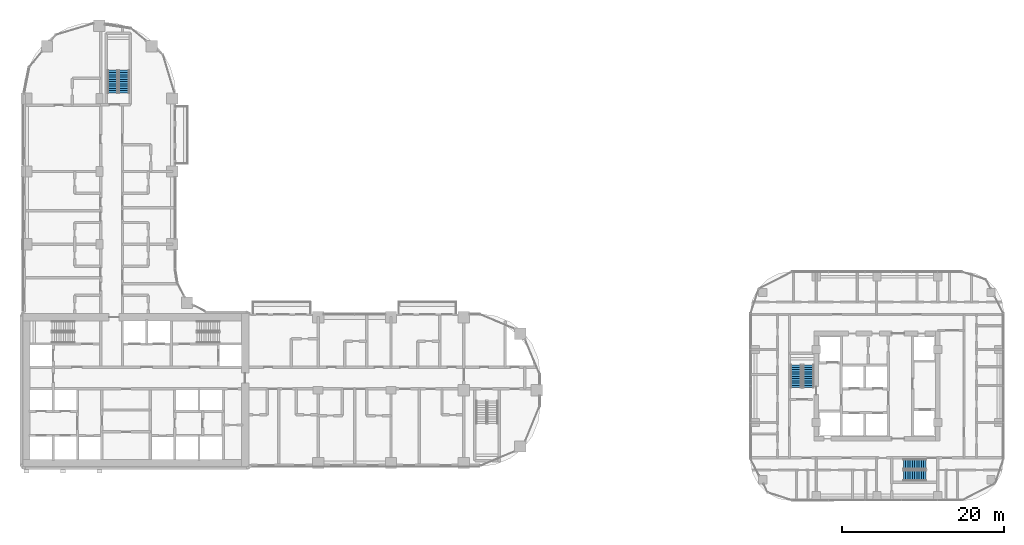
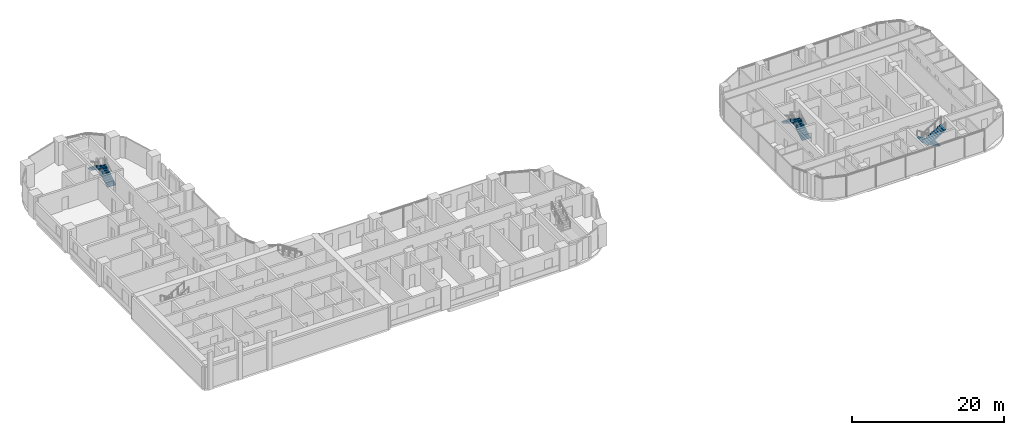
# One storey, part 24 of 30: 6 stair flights, 3 elements without a shape of their own.
"""IFC4 building model written with IfcOpenShell, lengths in metres."""

from ifc_helpers import new_model, si_unit, direction, frame, origin, place, context, subcontext, project, spatial, triangles, source, transform, mapped, material, type_object, element, aggregate, save


model = new_model("IFC4")

# Units and contexts
model_context = context("Model", 3, precision=1e-05, world=origin(), true_north=direction((0.0, 1.0)))
body_context = subcontext(model_context, "Body", "Model", "MODEL_VIEW")
ifc_project = project(units=[si_unit("LENGTHUNIT", "METRE"), si_unit("AREAUNIT", "SQUARE_METRE"), si_unit("VOLUMEUNIT", "CUBIC_METRE"), si_unit("PLANEANGLEUNIT", "RADIAN"), si_unit("MASSUNIT", "GRAM", prefix="KILO")], contexts=[model_context])

# Site, building, storey
site_placement = place(None, origin())
site = spatial("IfcSite", under=ifc_project, at=site_placement, CompositionType="ELEMENT")
building_placement = place(site_placement, origin())
building = spatial("IfcBuilding", under=site, at=building_placement, Name="Ogive Portal Towers", CompositionType="ELEMENT")
storey_placement = place(building_placement, frame((0.0, 0.0, 37.199951171875)))
storey = spatial("IfcBuildingStorey", under=building, at=storey_placement, Name="L07", CompositionType="ELEMENT", Elevation=37.199951171875)

# Stair, stair flights
ifc_material = material(Name="Concrete C40/50", Category="concrete")
stair_type = type_object("IfcStairType", Name="INT-STAIR", PredefinedType="HALF_TURN_STAIR", material=ifc_material)
stair_1_placement = place(storey_placement, origin())
stair_1 = element("IfcStair", 1, at=stair_1_placement, inside=storey, type_object=stair_type, Name="L07 Exit Stair ST-A3", PredefinedType="HALF_TURN_STAIR")
stair_flight_type = type_object("IfcStairFlightType", Name="INT-FLIGHT", PredefinedType="STRAIGHT", material=ifc_material)
shared_shape = source(origin(), body_context, "Body", "Tessellation", [
    triangles([(0.0, -0.650146484375, 0.0), (0.0, -0.376220703125, 0.0), (0.0, -0.192626953125, 0.0), (0.0, -0.081298828125, 0.0), (0.0, -0.024169921875, 0.0), (0.0, -0.003173828125, 0.0), (0.0, 0.0, 0.0), (0.0, 0.0029296875, 0.0), (0.0, 0.02392578125, 0.0), (0.0, 0.0810546875, 0.0), (0.0, 0.1923828125, 0.0), (0.0, 0.3759765625, 0.0), (0.0, 0.64990234375, 0.0), (0.0, -0.650146484375, 0.168212890625), (0.0, -0.376220703125, 0.168212890625), (0.0, -0.192626953125, 0.168212890625), (0.0, -0.081298828125, 0.168212890625), (0.0, -0.024169921875, 0.168212890625), (0.0, -0.003173828125, 0.168212890625), (0.0, 0.0, 0.168212890625), (0.0, 0.0029296875, 0.168212890625), (0.0, 0.02392578125, 0.168212890625), (0.0, 0.0810546875, 0.168212890625), (0.0, 0.1923828125, 0.168212890625), (0.0, 0.3759765625, 0.168212890625), (0.0, 0.64990234375, 0.168212890625), (0.280029296875, -0.650146484375, 0.168212890625), (0.280029296875, -0.376220703125, 0.168212890625), (0.280029296875, -0.192626953125, 0.168212890625), (0.280029296875, -0.081298828125, 0.168212890625), (0.280029296875, -0.024169921875, 0.168212890625), (0.280029296875, -0.003173828125, 0.168212890625), (0.280029296875, 0.0, 0.168212890625), (0.280029296875, 0.0029296875, 0.168212890625), (0.280029296875, 0.02392578125, 0.168212890625), (0.280029296875, 0.0810546875, 0.168212890625), (0.280029296875, 0.1923828125, 0.168212890625), (0.280029296875, 0.3759765625, 0.168212890625), (0.280029296875, 0.64990234375, 0.168212890625), (0.280029296875, -0.650146484375, 0.33642578125), (0.280029296875, -0.376220703125, 0.33642578125), (0.280029296875, -0.192626953125, 0.33642578125), (0.280029296875, -0.081298828125, 0.33642578125), (0.280029296875, -0.024169921875, 0.33642578125), (0.280029296875, -0.003173828125, 0.33642578125), (0.280029296875, 0.0, 0.33642578125), (0.280029296875, 0.0029296875, 0.33642578125), (0.280029296875, 0.02392578125, 0.33642578125), (0.280029296875, 0.0810546875, 0.33642578125), (0.280029296875, 0.1923828125, 0.33642578125), (0.280029296875, 0.3759765625, 0.33642578125), (0.280029296875, 0.64990234375, 0.33642578125), (0.56005859375, -0.650146484375, 0.33642578125), (0.56005859375, -0.376220703125, 0.33642578125), (0.56005859375, -0.192626953125, 0.33642578125), (0.56005859375, -0.081298828125, 0.33642578125), (0.56005859375, -0.024169921875, 0.33642578125), (0.56005859375, -0.003173828125, 0.33642578125), (0.56005859375, 0.0, 0.33642578125), (0.56005859375, 0.0029296875, 0.33642578125), (0.56005859375, 0.02392578125, 0.33642578125), (0.56005859375, 0.0810546875, 0.33642578125), (0.56005859375, 0.1923828125, 0.33642578125), (0.56005859375, 0.3759765625, 0.33642578125), (0.56005859375, 0.64990234375, 0.33642578125), (0.56005859375, -0.650146484375, 0.504638671875), (0.56005859375, -0.376220703125, 0.504638671875), (0.56005859375, -0.192626953125, 0.504638671875), (0.56005859375, -0.081298828125, 0.504638671875), (0.56005859375, -0.024169921875, 0.504638671875), (0.56005859375, -0.003173828125, 0.504638671875), (0.56005859375, 0.0, 0.504638671875), (0.56005859375, 0.0029296875, 0.504638671875), (0.56005859375, 0.02392578125, 0.504638671875), (0.56005859375, 0.0810546875, 0.504638671875), (0.56005859375, 0.1923828125, 0.504638671875), (0.56005859375, 0.3759765625, 0.504638671875), (0.56005859375, 0.64990234375, 0.504638671875), (0.840087890625, -0.650146484375, 0.504638671875), (0.840087890625, -0.376220703125, 0.504638671875), (0.840087890625, -0.192626953125, 0.504638671875), (0.840087890625, -0.081298828125, 0.504638671875), (0.840087890625, -0.024169921875, 0.504638671875), (0.840087890625, -0.003173828125, 0.504638671875), (0.840087890625, 0.0, 0.504638671875), (0.840087890625, 0.0029296875, 0.504638671875), (0.840087890625, 0.02392578125, 0.504638671875), (0.840087890625, 0.0810546875, 0.504638671875), (0.840087890625, 0.1923828125, 0.504638671875), (0.840087890625, 0.3759765625, 0.504638671875), (0.840087890625, 0.64990234375, 0.504638671875), (0.840087890625, -0.650146484375, 0.672607421875), (0.840087890625, -0.376220703125, 0.672607421875), (0.840087890625, -0.192626953125, 0.672607421875), (0.840087890625, -0.081298828125, 0.672607421875), (0.840087890625, -0.024169921875, 0.672607421875), (0.840087890625, -0.003173828125, 0.672607421875), (0.840087890625, 0.0, 0.672607421875), (0.840087890625, 0.0029296875, 0.672607421875), (0.840087890625, 0.02392578125, 0.672607421875), (0.840087890625, 0.0810546875, 0.672607421875), (0.840087890625, 0.1923828125, 0.672607421875), (0.840087890625, 0.3759765625, 0.672607421875), (0.840087890625, 0.64990234375, 0.672607421875), (1.1201171875, -0.650146484375, 0.672607421875), (1.1201171875, -0.376220703125, 0.672607421875), (1.1201171875, -0.192626953125, 0.672607421875), (1.1201171875, -0.081298828125, 0.672607421875), (1.1201171875, -0.024169921875, 0.672607421875), (1.1201171875, -0.003173828125, 0.672607421875), (1.1201171875, 0.0, 0.672607421875), (1.1201171875, 0.0029296875, 0.672607421875), (1.1201171875, 0.02392578125, 0.672607421875), (1.1201171875, 0.0810546875, 0.672607421875), (1.1201171875, 0.1923828125, 0.672607421875), (1.1201171875, 0.3759765625, 0.672607421875), (1.1201171875, 0.64990234375, 0.672607421875), (1.1201171875, -0.650146484375, 0.8408203125), (1.1201171875, -0.376220703125, 0.8408203125), (1.1201171875, -0.192626953125, 0.8408203125), (1.1201171875, -0.081298828125, 0.8408203125), (1.1201171875, -0.024169921875, 0.8408203125), (1.1201171875, -0.003173828125, 0.8408203125), (1.1201171875, 0.0, 0.8408203125), (1.1201171875, 0.0029296875, 0.8408203125), (1.1201171875, 0.02392578125, 0.8408203125), (1.1201171875, 0.0810546875, 0.8408203125), (1.1201171875, 0.1923828125, 0.8408203125), (1.1201171875, 0.3759765625, 0.8408203125), (1.1201171875, 0.64990234375, 0.8408203125), (1.39990234375, -0.650146484375, 0.8408203125), (1.39990234375, -0.376220703125, 0.8408203125), (1.39990234375, -0.192626953125, 0.8408203125), (1.39990234375, -0.081298828125, 0.8408203125), (1.39990234375, -0.024169921875, 0.8408203125), (1.39990234375, -0.003173828125, 0.8408203125), (1.39990234375, 0.0, 0.8408203125), (1.39990234375, 0.0029296875, 0.8408203125), (1.39990234375, 0.02392578125, 0.8408203125), (1.39990234375, 0.0810546875, 0.8408203125), (1.39990234375, 0.1923828125, 0.8408203125), (1.39990234375, 0.3759765625, 0.8408203125), (1.39990234375, 0.64990234375, 0.8408203125), (1.39990234375, -0.650146484375, 1.009033203125), (1.39990234375, -0.376220703125, 1.009033203125), (1.39990234375, -0.192626953125, 1.009033203125), (1.39990234375, -0.081298828125, 1.009033203125), (1.39990234375, -0.024169921875, 1.009033203125), (1.39990234375, -0.003173828125, 1.009033203125), (1.39990234375, 0.0, 1.009033203125), (1.39990234375, 0.0029296875, 1.009033203125), (1.39990234375, 0.02392578125, 1.009033203125), (1.39990234375, 0.0810546875, 1.009033203125), (1.39990234375, 0.1923828125, 1.009033203125), (1.39990234375, 0.3759765625, 1.009033203125), (1.39990234375, 0.64990234375, 1.009033203125), (1.679931640625, -0.650146484375, 1.009033203125), (1.679931640625, -0.376220703125, 1.009033203125), (1.679931640625, -0.192626953125, 1.009033203125), (1.679931640625, -0.081298828125, 1.009033203125), (1.679931640625, -0.024169921875, 1.009033203125), (1.679931640625, -0.003173828125, 1.009033203125), (1.679931640625, 0.0, 1.009033203125), (1.679931640625, 0.0029296875, 1.009033203125), (1.679931640625, 0.02392578125, 1.009033203125), (1.679931640625, 0.0810546875, 1.009033203125), (1.679931640625, 0.1923828125, 1.009033203125), (1.679931640625, 0.3759765625, 1.009033203125), (1.679931640625, 0.64990234375, 1.009033203125), (1.679931640625, -0.650146484375, 1.17724609375), (1.679931640625, -0.376220703125, 1.17724609375), (1.679931640625, -0.192626953125, 1.17724609375), (1.679931640625, -0.081298828125, 1.17724609375), (1.679931640625, -0.024169921875, 1.17724609375), (1.679931640625, -0.003173828125, 1.17724609375), (1.679931640625, 0.0, 1.17724609375), (1.679931640625, 0.0029296875, 1.17724609375), (1.679931640625, 0.02392578125, 1.17724609375), (1.679931640625, 0.0810546875, 1.17724609375), (1.679931640625, 0.1923828125, 1.17724609375), (1.679931640625, 0.3759765625, 1.17724609375), (1.679931640625, 0.64990234375, 1.17724609375), (1.9599609375, -0.650146484375, 1.17724609375), (1.9599609375, -0.376220703125, 1.17724609375), (1.9599609375, -0.192626953125, 1.17724609375), (1.9599609375, -0.081298828125, 1.17724609375), (1.9599609375, -0.024169921875, 1.17724609375), (1.9599609375, -0.003173828125, 1.17724609375), (1.9599609375, 0.0, 1.17724609375), (1.9599609375, 0.0029296875, 1.17724609375), (1.9599609375, 0.02392578125, 1.17724609375), (1.9599609375, 0.0810546875, 1.17724609375), (1.9599609375, 0.1923828125, 1.17724609375), (1.9599609375, 0.3759765625, 1.17724609375), (1.9599609375, 0.64990234375, 1.17724609375), (1.9599609375, -0.650146484375, 1.345458984375), (1.9599609375, -0.376220703125, 1.345458984375), (1.9599609375, -0.192626953125, 1.345458984375), (1.9599609375, -0.081298828125, 1.345458984375), (1.9599609375, -0.024169921875, 1.345458984375), (1.9599609375, -0.003173828125, 1.345458984375), (1.9599609375, 0.0, 1.345458984375), (1.9599609375, 0.0029296875, 1.345458984375), (1.9599609375, 0.02392578125, 1.345458984375), (1.9599609375, 0.0810546875, 1.345458984375), (1.9599609375, 0.1923828125, 1.345458984375), (1.9599609375, 0.3759765625, 1.345458984375), (1.9599609375, 0.64990234375, 1.345458984375), (2.239990234375, -0.650146484375, 1.345458984375), (2.239990234375, -0.376220703125, 1.345458984375), (2.239990234375, -0.192626953125, 1.345458984375), (2.239990234375, -0.081298828125, 1.345458984375), (2.239990234375, -0.024169921875, 1.345458984375), (2.239990234375, -0.003173828125, 1.345458984375), (2.239990234375, 0.0, 1.345458984375), (2.239990234375, 0.0029296875, 1.345458984375), (2.239990234375, 0.02392578125, 1.345458984375), (2.239990234375, 0.0810546875, 1.345458984375), (2.239990234375, 0.1923828125, 1.345458984375), (2.239990234375, 0.3759765625, 1.345458984375), (2.239990234375, 0.64990234375, 1.345458984375), (2.239990234375, -0.650146484375, 1.513671875), (2.239990234375, -0.376220703125, 1.513671875), (2.239990234375, -0.192626953125, 1.513671875), (2.239990234375, -0.081298828125, 1.513671875), (2.239990234375, -0.024169921875, 1.513671875), (2.239990234375, -0.003173828125, 1.513671875), (2.239990234375, 0.0, 1.513671875), (2.239990234375, 0.0029296875, 1.513671875), (2.239990234375, 0.02392578125, 1.513671875), (2.239990234375, 0.0810546875, 1.513671875), (2.239990234375, 0.1923828125, 1.513671875), (2.239990234375, 0.3759765625, 1.513671875), (2.239990234375, 0.64990234375, 1.513671875), (2.52001953125, -0.650146484375, 1.513671875), (2.52001953125, -0.376220703125, 1.513671875), (2.52001953125, -0.192626953125, 1.513671875), (2.52001953125, -0.081298828125, 1.513671875), (2.52001953125, -0.024169921875, 1.513671875), (2.52001953125, -0.003173828125, 1.513671875), (2.52001953125, 0.0, 1.513671875), (2.52001953125, 0.0029296875, 1.513671875), (2.52001953125, 0.02392578125, 1.513671875), (2.52001953125, 0.0810546875, 1.513671875), (2.52001953125, 0.1923828125, 1.513671875), (2.52001953125, 0.3759765625, 1.513671875), (2.52001953125, 0.64990234375, 1.513671875), (2.52001953125, -0.650146484375, 1.681884765625), (2.52001953125, -0.376220703125, 1.681884765625), (2.52001953125, -0.192626953125, 1.681884765625), (2.52001953125, -0.081298828125, 1.681884765625), (2.52001953125, -0.024169921875, 1.681884765625), (2.52001953125, -0.003173828125, 1.681884765625), (2.52001953125, 0.0, 1.681884765625), (2.52001953125, 0.0029296875, 1.681884765625), (2.52001953125, 0.02392578125, 1.681884765625), (2.52001953125, 0.0810546875, 1.681884765625), (2.52001953125, 0.1923828125, 1.681884765625), (2.52001953125, 0.3759765625, 1.681884765625), (2.52001953125, 0.64990234375, 1.681884765625), (2.800048828125, -0.650146484375, 1.681884765625), (2.800048828125, -0.376220703125, 1.681884765625), (2.800048828125, -0.192626953125, 1.681884765625), (2.800048828125, -0.081298828125, 1.681884765625), (2.800048828125, -0.024169921875, 1.681884765625), (2.800048828125, -0.003173828125, 1.681884765625), (2.800048828125, 0.0, 1.681884765625), (2.800048828125, 0.0029296875, 1.681884765625), (2.800048828125, 0.02392578125, 1.681884765625), (2.800048828125, 0.0810546875, 1.681884765625), (2.800048828125, 0.1923828125, 1.681884765625), (2.800048828125, 0.3759765625, 1.681884765625), (2.800048828125, 0.64990234375, 1.681884765625), (2.800048828125, -0.650146484375, 1.5068359375), (2.800048828125, -0.376220703125, 1.5068359375), (2.800048828125, -0.192626953125, 1.5068359375), (2.800048828125, -0.081298828125, 1.5068359375), (2.800048828125, -0.024169921875, 1.5068359375), (2.800048828125, -0.003173828125, 1.5068359375), (2.800048828125, 0.0, 1.5068359375), (2.800048828125, 0.0029296875, 1.5068359375), (2.800048828125, 0.02392578125, 1.5068359375), (2.800048828125, 0.0810546875, 1.5068359375), (2.800048828125, 0.1923828125, 1.5068359375), (2.800048828125, 0.3759765625, 1.5068359375), (2.800048828125, 0.64990234375, 1.5068359375), (0.291015625, -0.650146484375, 0.0), (0.291015625, -0.376220703125, 0.0), (0.291015625, -0.192626953125, 0.0), (0.291015625, -0.081298828125, 0.0), (0.291015625, -0.024169921875, 0.0), (0.291015625, -0.003173828125, 0.0), (0.291015625, 0.0, 0.0), (0.291015625, 0.0029296875, 0.0), (0.291015625, 0.02392578125, 0.0), (0.291015625, 0.0810546875, 0.0), (0.291015625, 0.1923828125, 0.0), (0.291015625, 0.3759765625, 0.0), (0.291015625, 0.64990234375, 0.0)], [[1, 14, 15], [1, 15, 2], [2, 15, 16], [2, 16, 3], [3, 16, 17], [3, 17, 4], [4, 17, 18], [4, 18, 5], [5, 18, 19], [5, 19, 6], [6, 19, 20], [6, 20, 7], [7, 20, 21], [7, 21, 8], [8, 21, 22], [8, 22, 9], [9, 22, 23], [9, 23, 10], [10, 23, 24], [10, 24, 11], [11, 24, 25], [11, 25, 12], [12, 25, 26], [12, 26, 13], [14, 27, 28], [14, 28, 15], [15, 28, 29], [15, 29, 16], [16, 29, 30], [16, 30, 17], [17, 30, 31], [17, 31, 18], [18, 31, 32], [18, 32, 19], [19, 32, 33], [19, 33, 20], [20, 33, 34], [20, 34, 21], [21, 34, 35], [21, 35, 22], [22, 35, 36], [22, 36, 23], [23, 36, 37], [23, 37, 24], [24, 37, 38], [24, 38, 25], [25, 38, 39], [25, 39, 26], [27, 40, 41], [27, 41, 28], [28, 41, 42], [28, 42, 29], [29, 42, 43], [29, 43, 30], [30, 43, 44], [30, 44, 31], [31, 44, 45], [31, 45, 32], [32, 45, 46], [32, 46, 33], [33, 46, 47], [33, 47, 34], [34, 47, 48], [34, 48, 35], [35, 48, 49], [35, 49, 36], [36, 49, 50], [36, 50, 37], [37, 50, 51], [37, 51, 38], [38, 51, 52], [38, 52, 39], [40, 53, 54], [40, 54, 41], [41, 54, 55], [41, 55, 42], [42, 55, 56], [42, 56, 43], [43, 56, 57], [43, 57, 44], [44, 57, 58], [44, 58, 45], [45, 58, 59], [45, 59, 46], [46, 59, 60], [46, 60, 47], [47, 60, 61], [47, 61, 48], [48, 61, 62], [48, 62, 49], [49, 62, 63], [49, 63, 50], [50, 63, 64], [50, 64, 51], [51, 64, 65], [51, 65, 52], [53, 66, 67], [53, 67, 54], [54, 67, 68], [54, 68, 55], [55, 68, 69], [55, 69, 56], [56, 69, 70], [56, 70, 57], [57, 70, 71], [57, 71, 58], [58, 71, 72], [58, 72, 59], [59, 72, 73], [59, 73, 60], [60, 73, 74], [60, 74, 61], [61, 74, 75], [61, 75, 62], [62, 75, 76], [62, 76, 63], [63, 76, 77], [63, 77, 64], [64, 77, 78], [64, 78, 65], [66, 79, 80], [66, 80, 67], [67, 80, 81], [67, 81, 68], [68, 81, 82], [68, 82, 69], [69, 82, 83], [69, 83, 70], [70, 83, 84], [70, 84, 71], [71, 84, 85], [71, 85, 72], [72, 85, 86], [72, 86, 73], [73, 86, 87], [73, 87, 74], [74, 87, 88], [74, 88, 75], [75, 88, 89], [75, 89, 76], [76, 89, 90], [76, 90, 77], [77, 90, 91], [77, 91, 78], [79, 92, 93], [79, 93, 80], [80, 93, 94], [80, 94, 81], [81, 94, 95], [81, 95, 82], [82, 95, 96], [82, 96, 83], [83, 96, 97], [83, 97, 84], [84, 97, 98], [84, 98, 85], [85, 98, 99], [85, 99, 86], [86, 99, 100], [86, 100, 87], [87, 100, 101], [87, 101, 88], [88, 101, 102], [88, 102, 89], [89, 102, 103], [89, 103, 90], [90, 103, 104], [90, 104, 91], [92, 105, 106], [92, 106, 93], [93, 106, 107], [93, 107, 94], [94, 107, 108], [94, 108, 95], [95, 108, 109], [95, 109, 96], [96, 109, 110], [96, 110, 97], [97, 110, 111], [97, 111, 98], [98, 111, 112], [98, 112, 99], [99, 112, 113], [99, 113, 100], [100, 113, 114], [100, 114, 101], [101, 114, 115], [101, 115, 102], [102, 115, 116], [102, 116, 103], [103, 116, 117], [103, 117, 104], [105, 118, 119], [105, 119, 106], [106, 119, 120], [106, 120, 107], [107, 120, 121], [107, 121, 108], [108, 121, 122], [108, 122, 109], [109, 122, 123], [109, 123, 110], [110, 123, 124], [110, 124, 111], [111, 124, 125], [111, 125, 112], [112, 125, 126], [112, 126, 113], [113, 126, 127], [113, 127, 114], [114, 127, 128], [114, 128, 115], [115, 128, 129], [115, 129, 116], [116, 129, 130], [116, 130, 117], [118, 131, 132], [118, 132, 119], [119, 132, 133], [119, 133, 120], [120, 133, 134], [120, 134, 121], [121, 134, 135], [121, 135, 122], [122, 135, 136], [122, 136, 123], [123, 136, 137], [123, 137, 124], [124, 137, 138], [124, 138, 125], [125, 138, 139], [125, 139, 126], [126, 139, 140], [126, 140, 127], [127, 140, 141], [127, 141, 128], [128, 141, 142], [128, 142, 129], [129, 142, 143], [129, 143, 130], [131, 144, 145], [131, 145, 132], [132, 145, 146], [132, 146, 133], [133, 146, 147], [133, 147, 134], [134, 147, 148], [134, 148, 135], [135, 148, 149], [135, 149, 136], [136, 149, 150], [136, 150, 137], [137, 150, 151], [137, 151, 138], [138, 151, 152], [138, 152, 139], [139, 152, 153], [139, 153, 140], [140, 153, 154], [140, 154, 141], [141, 154, 155], [141, 155, 142], [142, 155, 156], [142, 156, 143], [144, 157, 158], [144, 158, 145], [145, 158, 159], [145, 159, 146], [146, 159, 160], [146, 160, 147], [147, 160, 161], [147, 161, 148], [148, 161, 162], [148, 162, 149], [149, 162, 163], [149, 163, 150], [150, 163, 164], [150, 164, 151], [151, 164, 165], [151, 165, 152], [152, 165, 166], [152, 166, 153], [153, 166, 167], [153, 167, 154], [154, 167, 168], [154, 168, 155], [155, 168, 169], [155, 169, 156], [157, 170, 171], [157, 171, 158], [158, 171, 172], [158, 172, 159], [159, 172, 173], [159, 173, 160], [160, 173, 174], [160, 174, 161], [161, 174, 175], [161, 175, 162], [162, 175, 176], [162, 176, 163], [163, 176, 177], [163, 177, 164], [164, 177, 178], [164, 178, 165], [165, 178, 179], [165, 179, 166], [166, 179, 180], [166, 180, 167], [167, 180, 181], [167, 181, 168], [168, 181, 182], [168, 182, 169], [170, 183, 184], [170, 184, 171], [171, 184, 185], [171, 185, 172], [172, 185, 186], [172, 186, 173], [173, 186, 187], [173, 187, 174], [174, 187, 188], [174, 188, 175], [175, 188, 189], [175, 189, 176], [176, 189, 190], [176, 190, 177], [177, 190, 191], [177, 191, 178], [178, 191, 192], [178, 192, 179], [179, 192, 193], [179, 193, 180], [180, 193, 194], [180, 194, 181], [181, 194, 195], [181, 195, 182], [183, 196, 197], [183, 197, 184], [184, 197, 198], [184, 198, 185], [185, 198, 199], [185, 199, 186], [186, 199, 200], [186, 200, 187], [187, 200, 201], [187, 201, 188], [188, 201, 202], [188, 202, 189], [189, 202, 203], [189, 203, 190], [190, 203, 204], [190, 204, 191], [191, 204, 205], [191, 205, 192], [192, 205, 206], [192, 206, 193], [193, 206, 207], [193, 207, 194], [194, 207, 208], [194, 208, 195], [196, 209, 210], [196, 210, 197], [197, 210, 211], [197, 211, 198], [198, 211, 212], [198, 212, 199], [199, 212, 213], [199, 213, 200], [200, 213, 214], [200, 214, 201], [201, 214, 215], [201, 215, 202], [202, 215, 216], [202, 216, 203], [203, 216, 217], [203, 217, 204], [204, 217, 218], [204, 218, 205], [205, 218, 219], [205, 219, 206], [206, 219, 220], [206, 220, 207], [207, 220, 221], [207, 221, 208], [209, 222, 223], [209, 223, 210], [210, 223, 224], [210, 224, 211], [211, 224, 225], [211, 225, 212], [212, 225, 226], [212, 226, 213], [213, 226, 227], [213, 227, 214], [214, 227, 228], [214, 228, 215], [215, 228, 229], [215, 229, 216], [216, 229, 230], [216, 230, 217], [217, 230, 231], [217, 231, 218], [218, 231, 232], [218, 232, 219], [219, 232, 233], [219, 233, 220], [220, 233, 234], [220, 234, 221], [222, 235, 236], [222, 236, 223], [223, 236, 237], [223, 237, 224], [224, 237, 238], [224, 238, 225], [225, 238, 239], [225, 239, 226], [226, 239, 240], [226, 240, 227], [227, 240, 241], [227, 241, 228], [228, 241, 242], [228, 242, 229], [229, 242, 243], [229, 243, 230], [230, 243, 244], [230, 244, 231], [231, 244, 245], [231, 245, 232], [232, 245, 246], [232, 246, 233], [233, 246, 247], [233, 247, 234], [235, 248, 249], [235, 249, 236], [236, 249, 250], [236, 250, 237], [237, 250, 251], [237, 251, 238], [238, 251, 252], [238, 252, 239], [239, 252, 253], [239, 253, 240], [240, 253, 254], [240, 254, 241], [241, 254, 255], [241, 255, 242], [242, 255, 256], [242, 256, 243], [243, 256, 257], [243, 257, 244], [244, 257, 258], [244, 258, 245], [245, 258, 259], [245, 259, 246], [246, 259, 260], [246, 260, 247], [248, 261, 262], [248, 262, 249], [249, 262, 263], [249, 263, 250], [250, 263, 264], [250, 264, 251], [251, 264, 265], [251, 265, 252], [252, 265, 266], [252, 266, 253], [253, 266, 267], [253, 267, 254], [254, 267, 268], [254, 268, 255], [255, 268, 269], [255, 269, 256], [256, 269, 270], [256, 270, 257], [257, 270, 271], [257, 271, 258], [258, 271, 272], [258, 272, 259], [259, 272, 273], [259, 273, 260], [261, 274, 275], [261, 275, 262], [262, 275, 276], [262, 276, 263], [263, 276, 277], [263, 277, 264], [264, 277, 278], [264, 278, 265], [265, 278, 279], [265, 279, 266], [266, 279, 280], [266, 280, 267], [267, 280, 281], [267, 281, 268], [268, 281, 282], [268, 282, 269], [269, 282, 283], [269, 283, 270], [270, 283, 284], [270, 284, 271], [271, 284, 285], [271, 285, 272], [272, 285, 286], [272, 286, 273], [274, 287, 288], [274, 288, 275], [275, 288, 289], [275, 289, 276], [276, 289, 290], [276, 290, 277], [277, 290, 291], [277, 291, 278], [278, 291, 292], [278, 292, 279], [279, 292, 293], [279, 293, 280], [280, 293, 294], [280, 294, 281], [281, 294, 295], [281, 295, 282], [282, 295, 296], [282, 296, 283], [283, 296, 297], [283, 297, 284], [284, 297, 298], [284, 298, 285], [285, 298, 299], [285, 299, 286], [287, 1, 2], [287, 2, 288], [288, 2, 3], [288, 3, 289], [289, 3, 4], [289, 4, 290], [290, 4, 5], [290, 5, 291], [291, 5, 6], [291, 6, 292], [292, 6, 7], [292, 7, 293], [293, 7, 8], [293, 8, 294], [294, 8, 9], [294, 9, 295], [295, 9, 10], [295, 10, 296], [296, 10, 11], [296, 11, 297], [297, 11, 12], [297, 12, 298], [298, 12, 13], [298, 13, 299], [1, 287, 274], [13, 286, 299], [274, 261, 248], [286, 260, 273], [274, 248, 235], [286, 247, 260], [274, 235, 222], [286, 234, 247], [274, 222, 209], [286, 221, 234], [209, 196, 183], [221, 195, 208], [274, 209, 183], [286, 195, 221], [183, 170, 157], [195, 169, 182], [274, 183, 157], [286, 169, 195], [157, 144, 131], [169, 143, 156], [274, 157, 131], [286, 143, 169], [131, 118, 105], [143, 117, 130], [274, 131, 105], [286, 117, 143], [1, 274, 105], [13, 117, 286], [105, 92, 79], [117, 91, 104], [79, 66, 53], [91, 65, 78], [105, 79, 53], [117, 65, 91], [53, 40, 27], [65, 39, 52], [105, 53, 27], [117, 39, 65], [1, 105, 27], [13, 39, 117], [27, 14, 1], [39, 13, 26]], closed=True),
])
stair_flight_1_placement = place(storey_placement, frame((43.550048828125, 67.199951171875, 0.0), z_axis=(0.0, 0.0, 1.0), x_axis=(0.0, 1.0, 0.0)))
stair_flight_1 = element("IfcStairFlight", 2, at=stair_flight_1_placement, type_object=stair_flight_type, Name="ST-A3 flight 1", NumberOfRisers=11, NumberOfTreads=10, PredefinedType="STRAIGHT", RiserHeight=0.168181818, TreadLength=0.28, context=body_context, shape_type="MappedRepresentation", body=[
    mapped(shared_shape, transform((0.0, 0.0, 0.0), scale=1.0)),
])
stair_flight_2_placement = place(storey_placement, frame((42.14990234375, 70.0, 1.85009765625), z_axis=(0.0, 0.0, 1.0), x_axis=(0.0, -1.0, 0.0)))
stair_flight_2 = element("IfcStairFlight", 3, at=stair_flight_2_placement, type_object=stair_flight_type, Name="ST-A3 flight 2", NumberOfRisers=11, NumberOfTreads=10, PredefinedType="STRAIGHT", RiserHeight=0.168181818, TreadLength=0.28, context=body_context, shape_type="MappedRepresentation", body=[
    mapped(shared_shape, transform((0.0, 0.0, 0.0), scale=1.0)),
])
aggregate(stair_1, [stair_flight_1, stair_flight_2])

stair_2_placement = place(storey_placement, origin())
stair_2 = element("IfcStair", 4, at=stair_2_placement, inside=storey, type_object=stair_type, Name="L07 Exit Stair ST-B1", PredefinedType="HALF_TURN_STAIR")
stair_flight_3_placement = place(storey_placement, frame((128.050048828125, 30.800048828125, 0.0), z_axis=(0.0, 0.0, 1.0), x_axis=(0.0, 1.0, 0.0)))
stair_flight_3 = element("IfcStairFlight", 5, at=stair_flight_3_placement, type_object=stair_flight_type, Name="ST-B1 flight 1", NumberOfRisers=11, NumberOfTreads=10, PredefinedType="STRAIGHT", RiserHeight=0.168181818, TreadLength=0.28, context=body_context, shape_type="MappedRepresentation", body=[
    mapped(shared_shape, transform((0.0, 0.0, 0.0), scale=1.0)),
])
stair_flight_4_placement = place(storey_placement, frame((126.5, 33.60009765625, 1.85009765625), z_axis=(0.0, 0.0, 1.0), x_axis=(0.0, -1.0, 0.0)))
stair_flight_4 = element("IfcStairFlight", 6, at=stair_flight_4_placement, type_object=stair_flight_type, Name="ST-B1 flight 2", NumberOfRisers=11, NumberOfTreads=10, PredefinedType="STRAIGHT", RiserHeight=0.168181818, TreadLength=0.28, context=body_context, shape_type="MappedRepresentation", body=[
    mapped(shared_shape, transform((0.0, 0.0, 0.0), scale=1.0)),
])
aggregate(stair_2, [stair_flight_3, stair_flight_4])

stair_3_placement = place(storey_placement, origin())
stair_3 = element("IfcStair", 7, at=stair_3_placement, inside=storey, type_object=stair_type, Name="L07 Exit Stair ST-B2", PredefinedType="HALF_TURN_STAIR")
stair_flight_5_placement = place(storey_placement, frame((142.550048828125, 21.35009765625, 0.0), z_axis=(0.0, 0.0, 1.0), x_axis=(-1.0, 0.0, 0.0)))
stair_flight_5 = element("IfcStairFlight", 8, at=stair_flight_5_placement, type_object=stair_flight_type, Name="ST-B2 flight 1", NumberOfRisers=11, NumberOfTreads=10, PredefinedType="STRAIGHT", RiserHeight=0.168181818, TreadLength=0.28, context=body_context, shape_type="MappedRepresentation", body=[
    mapped(shared_shape, transform((0.0, 0.0, 0.0), scale=1.0)),
])
stair_flight_6_placement = place(storey_placement, frame((139.75, 19.949951171875, 1.85009765625), z_axis=(0.0, 0.0, 1.0), x_axis=(1.0, 0.0, 0.0)))
stair_flight_6 = element("IfcStairFlight", 9, at=stair_flight_6_placement, type_object=stair_flight_type, Name="ST-B2 flight 2", NumberOfRisers=11, NumberOfTreads=10, PredefinedType="STRAIGHT", RiserHeight=0.168181818, TreadLength=0.28, context=body_context, shape_type="MappedRepresentation", body=[
    mapped(shared_shape, transform((0.0, 0.0, 0.0), scale=1.0)),
])
aggregate(stair_3, [stair_flight_5, stair_flight_6])

save(model, "model.ifc")
